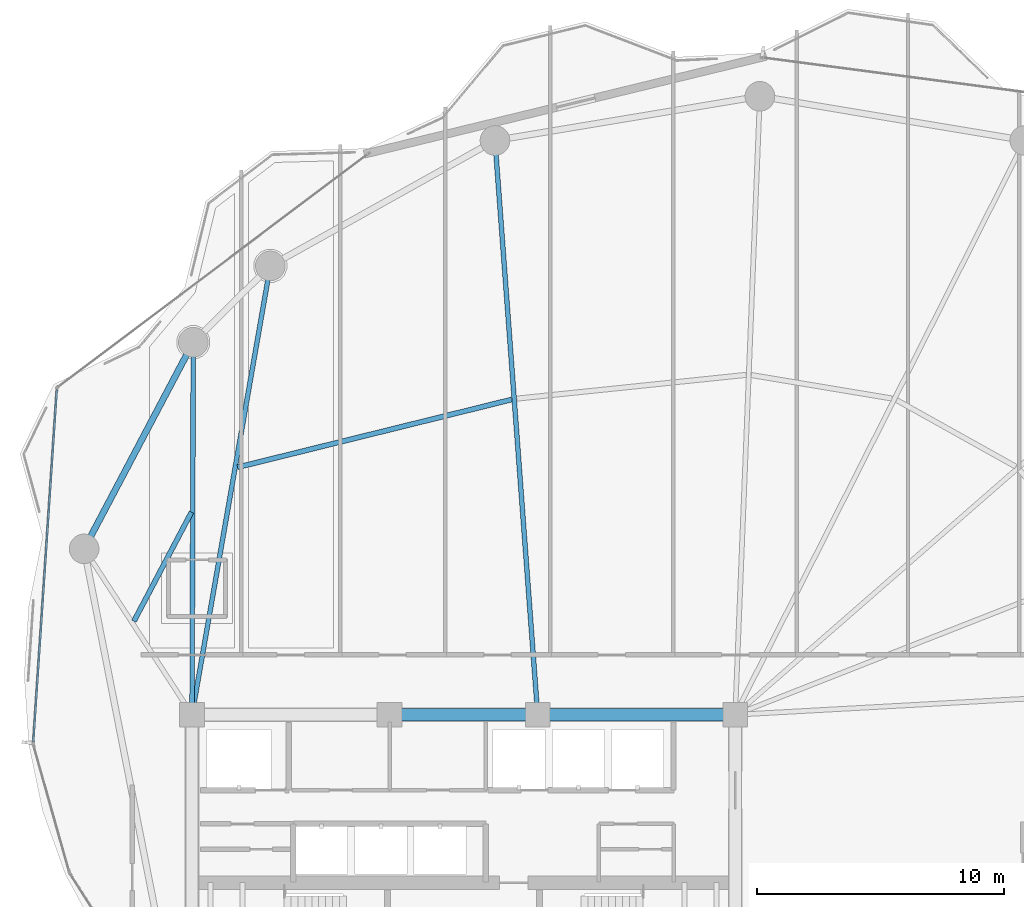
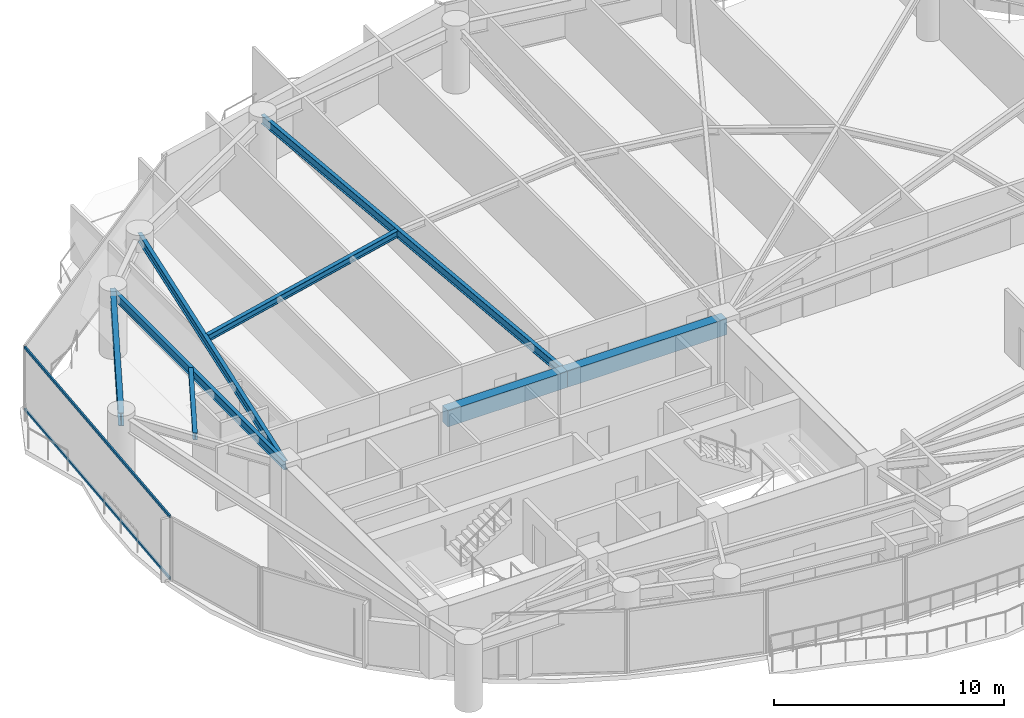
# One storey, part 8 of 30: 8 beams, 2 members, 1 element without a shape of its own.
"""IFC4 building model written with IfcOpenShell, lengths in metres."""

from ifc_helpers import new_model, si_unit, direction, frame, origin, origin_2d, place, context, subcontext, project, spatial, rectangle, hollow_rectangle, i_section, extrude, material, layer, layer_set, material_profile, profile_set, type_object, element, aggregate, save


model = new_model("IFC4")

# Units and contexts
model_context = context("Model", 3, precision=1e-05, world=origin(), true_north=direction((0.0, 1.0)))
body_context = subcontext(model_context, "Body", "Model", "MODEL_VIEW")
ifc_project = project(units=[si_unit("LENGTHUNIT", "METRE"), si_unit("AREAUNIT", "SQUARE_METRE"), si_unit("VOLUMEUNIT", "CUBIC_METRE"), si_unit("PLANEANGLEUNIT", "RADIAN"), si_unit("MASSUNIT", "GRAM", prefix="KILO")], contexts=[model_context])

# Site, building, storey
site_placement = place(None, origin())
site = spatial("IfcSite", under=ifc_project, at=site_placement, CompositionType="ELEMENT")
building_placement = place(site_placement, origin())
building = spatial("IfcBuilding", under=site, at=building_placement, Name="Kazevale Care Tower and Concert Hall", CompositionType="ELEMENT")
storey_placement = place(building_placement, frame((0.0, 0.0, 113.39990234375)))
storey = spatial("IfcBuildingStorey", under=building, at=storey_placement, Name="L29", CompositionType="ELEMENT", Elevation=113.39990234375)

# Curtain wall, members
ifc_material_1 = material(Name="Aluminium 6063-T6 and Low-E Glass", Category="aluminium")
ifc_layer = layer(ifc_material_1, 0.179931640625)
ifc_layer_set = layer_set([ifc_layer], Name="Aluminium 6063-T6 and Low-E Glass")
curtain_wall_type = type_object("IfcCurtainWallType", Name="Waist & Upper Residential Curtain Wall CW-4", PredefinedType="NOTDEFINED", material=ifc_layer_set)
curtain_wall_placement = place(storey_placement, origin())
curtain_wall = element("IfcCurtainWall", 1, at=curtain_wall_placement, inside=storey, type_object=curtain_wall_type, Name="cw:L29:f13", PredefinedType="NOTDEFINED")
ifc_material_2 = material(Name="Aluminium 6063-T6", Category="aluminium")
ifc_material_profile_1 = material_profile(ifc_material_2, hollow_rectangle(XDim=0.080078125, YDim=0.139892578125, WallThickness=0.00390625, at=origin_2d()), Name="ALU80x140x4")
ifc_profile_set_1 = profile_set([ifc_material_profile_1], Name="Aluminium 6063-T6")
member_type = type_object("IfcMemberType", Name="CW-4 Transom ALU80x140x4", PredefinedType="USERDEFINED", material=ifc_profile_set_1)
member_1_placement = place(storey_placement, frame((15.5712890625, 35.3017578125, 0.0400390625), z_axis=(0.06662329491, 0.99777820009, 0.0), x_axis=(-0.99777820009, 0.06662329491, 0.0)))
member_1 = element("IfcMember", 2, at=member_1_placement, type_object=member_type, Name="CW-4 transom 1.1", ObjectType="TRANSOM", PredefinedType="USERDEFINED", context=body_context, shape_type="SweptSolid", body=[
    extrude(hollow_rectangle(XDim=0.080078125, YDim=0.139892578125, WallThickness=0.00390625, at=origin_2d()), origin(), (0.0, 0.0, 1.0), 14.295166015625),
])
member_2_placement = place(storey_placement, frame((15.5712890625, 35.3017578125, 3.320068359375), z_axis=(0.06662329491, 0.99777820009, 0.0), x_axis=(-0.99777820009, 0.06662329491, 0.0)))
member_2 = element("IfcMember", 3, at=member_2_placement, type_object=member_type, Name="CW-4 transom 1.2", ObjectType="TRANSOM", PredefinedType="USERDEFINED", context=body_context, shape_type="SweptSolid", body=[
    extrude(hollow_rectangle(XDim=0.080078125, YDim=0.139892578125, WallThickness=0.00390625, at=origin_2d()), origin(), (0.0, 0.0, 1.0), 14.295166015625),
])
aggregate(curtain_wall, [member_1, member_2])

# Beams
ifc_material_3 = material(Name="Concrete C60", Category="concrete")
ifc_material_profile_2 = material_profile(ifc_material_3, rectangle(XDim=0.5, YDim=0.85009765625, at=origin_2d()), Name="RC-B500x850")
ifc_profile_set_2 = profile_set([ifc_material_profile_2], Name="Concrete C60")
beam_type_1 = type_object("IfcBeamType", Name="Core Coupling Beam RC500x850", PredefinedType="LINTEL", material=ifc_profile_set_2)
beam_1_placement = place(storey_placement, frame((44.0, 36.39990234375, 2.93505859375), z_axis=(-1.0, 0.0, 0.0), x_axis=(0.0, -1.0, 0.0)))
element("IfcBeam", 4, at=beam_1_placement, inside=storey, type_object=beam_type_1, Name="beam:L29:coretie:5", PredefinedType="LINTEL", context=body_context, shape_type="SweptSolid", body=[
    extrude(rectangle(XDim=0.5, YDim=0.85009765625, at=origin_2d()), origin(), (0.0, 0.0, 1.0), 8.0),
])
beam_2_placement = place(storey_placement, frame((36.0, 36.39990234375, 2.93505859375), z_axis=(-1.0, 0.0, 0.0), x_axis=(0.0, -1.0, 0.0)))
element("IfcBeam", 5, at=beam_2_placement, inside=storey, type_object=beam_type_1, Name="beam:L29:coretie:6", PredefinedType="LINTEL", context=body_context, shape_type="SweptSolid", body=[
    extrude(rectangle(XDim=0.5, YDim=0.85009765625, at=origin_2d()), origin(), (0.0, 0.0, 1.0), 6.0),
])
ifc_material_4 = material(Name="Steel ASTM A572 Gr 50", Category="steel")
ifc_material_profile_3 = material_profile(ifc_material_4, i_section(OverallWidth=0.19091796875, OverallDepth=0.4599609375, WebThickness=0.010009765625, FlangeThickness=0.01611328125, at=origin_2d()), Name="W460x82")
ifc_profile_set_3 = profile_set([ifc_material_profile_3], Name="Steel ASTM A572 Gr 50")
beam_type_2 = type_object("IfcBeamType", Name="Radial Floor Beam W460x82", PredefinedType="BEAM", material=ifc_profile_set_3)
beam_3_placement = place(storey_placement, frame((36.0, 36.39990234375, 3.130126953125), z_axis=(-0.074170876808, 0.997245547011, 0.0), x_axis=(-0.997245547011, -0.074170876808, 0.0)))
element("IfcBeam", 6, at=beam_3_placement, inside=storey, type_object=beam_type_2, Name="beam:L29:rad:06", PredefinedType="BEAM", context=body_context, shape_type="SweptSolid", body=[
    extrude(i_section(OverallWidth=0.19091796875, OverallDepth=0.4599609375, WebThickness=0.010009765625, FlangeThickness=0.01611328125, at=origin_2d()), origin(), (0.0, 0.0, 1.0), 23.32421875),
])
beam_4_placement = place(storey_placement, frame((22.0, 36.39990234375, 3.130126953125), z_axis=(0.171769935245, 0.985137091651, 0.0), x_axis=(-0.985137091651, 0.171769935245, 0.0)))
element("IfcBeam", 7, at=beam_4_placement, inside=storey, type_object=beam_type_2, Name="beam:L29:rad:07", PredefinedType="BEAM", context=body_context, shape_type="SweptSolid", body=[
    extrude(i_section(OverallWidth=0.19091796875, OverallDepth=0.4599609375, WebThickness=0.010009765625, FlangeThickness=0.01611328125, at=origin_2d()), origin(), (0.0, 0.0, 1.0), 18.454345703125),
])
beam_5_placement = place(storey_placement, frame((22.0, 36.39990234375, 3.130126953125), z_axis=(0.003316650851, 0.999994499898, 0.0), x_axis=(-0.999994499898, 0.003316650851, 0.0)))
element("IfcBeam", 8, at=beam_5_placement, inside=storey, type_object=beam_type_2, Name="beam:L29:rad:08", PredefinedType="BEAM", context=body_context, shape_type="SweptSolid", body=[
    extrude(i_section(OverallWidth=0.19091796875, OverallDepth=0.4599609375, WebThickness=0.010009765625, FlangeThickness=0.01611328125, at=origin_2d()), origin(), (0.0, 0.0, 1.0), 15.090087890625),
])
ifc_material_profile_4 = material_profile(ifc_material_4, i_section(OverallWidth=0.205078125, OverallDepth=0.35400390625, WebThickness=0.009521484375, FlangeThickness=0.016845703125, at=origin_2d()), Name="W360x79")
ifc_profile_set_4 = profile_set([ifc_material_profile_4], Name="Steel ASTM A572 Gr 50")
beam_type_3 = type_object("IfcBeamType", Name="Secondary Floor Joist W360x79", PredefinedType="JOIST", material=ifc_profile_set_4)
beam_6_placement = place(storey_placement, frame((34.947021484375, 49.16796875, 3.18310546875), z_axis=(-0.970789504014, -0.239932779954, 0.0), x_axis=(0.239932779954, -0.970789504014, 0.0)))
element("IfcBeam", 9, at=beam_6_placement, inside=storey, type_object=beam_type_3, Name="beam:L29:joist:06", PredefinedType="JOIST", context=body_context, shape_type="SweptSolid", body=[
    extrude(i_section(OverallWidth=0.205078125, OverallDepth=0.35400390625, WebThickness=0.009521484375, FlangeThickness=0.016845703125, at=origin_2d()), origin(), (0.0, 0.0, 1.0), 11.43603515625),
])
beam_7_placement = place(storey_placement, frame((21.97802734375, 44.60693359375, 3.18310546875), z_axis=(-0.466809583155, -0.884357853515, 0.0), x_axis=(0.884357853515, -0.466809583155, 0.0)))
element("IfcBeam", 10, at=beam_7_placement, inside=storey, type_object=beam_type_3, Name="beam:L29:joist:08", PredefinedType="JOIST", context=body_context, shape_type="SweptSolid", body=[
    extrude(i_section(OverallWidth=0.205078125, OverallDepth=0.35400390625, WebThickness=0.009521484375, FlangeThickness=0.016845703125, at=origin_2d()), origin(), (0.0, 0.0, 1.0), 4.99560546875),
])
ifc_material_profile_5 = material_profile(ifc_material_4, i_section(OverallWidth=0.256103515625, OverallDepth=0.693115234375, WebThickness=0.014404296875, FlangeThickness=0.023681640625, at=origin_2d()), Name="W690x170")
ifc_profile_set_5 = profile_set([ifc_material_profile_5], Name="Steel ASTM A572 Gr 50")
beam_type_4 = type_object("IfcBeamType", Name="Waist Ring Beam W690x170", PredefinedType="BEAM", material=ifc_profile_set_5)
beam_8_placement = place(storey_placement, frame((22.050048828125, 51.489990234375, 3.013671875), z_axis=(-0.466984438127, -0.884265533959, 0.0), x_axis=(0.884265533959, -0.466984438127, 0.0)))
element("IfcBeam", 11, at=beam_8_placement, inside=storey, type_object=beam_type_4, Name="beam:L29:ring:08", PredefinedType="BEAM", context=body_context, shape_type="SweptSolid", body=[
    extrude(i_section(OverallWidth=0.256103515625, OverallDepth=0.693115234375, WebThickness=0.014404296875, FlangeThickness=0.023681640625, at=origin_2d()), origin(), (0.0, 0.0, 1.0), 9.46533203125),
])

save(model, "model.ifc")
